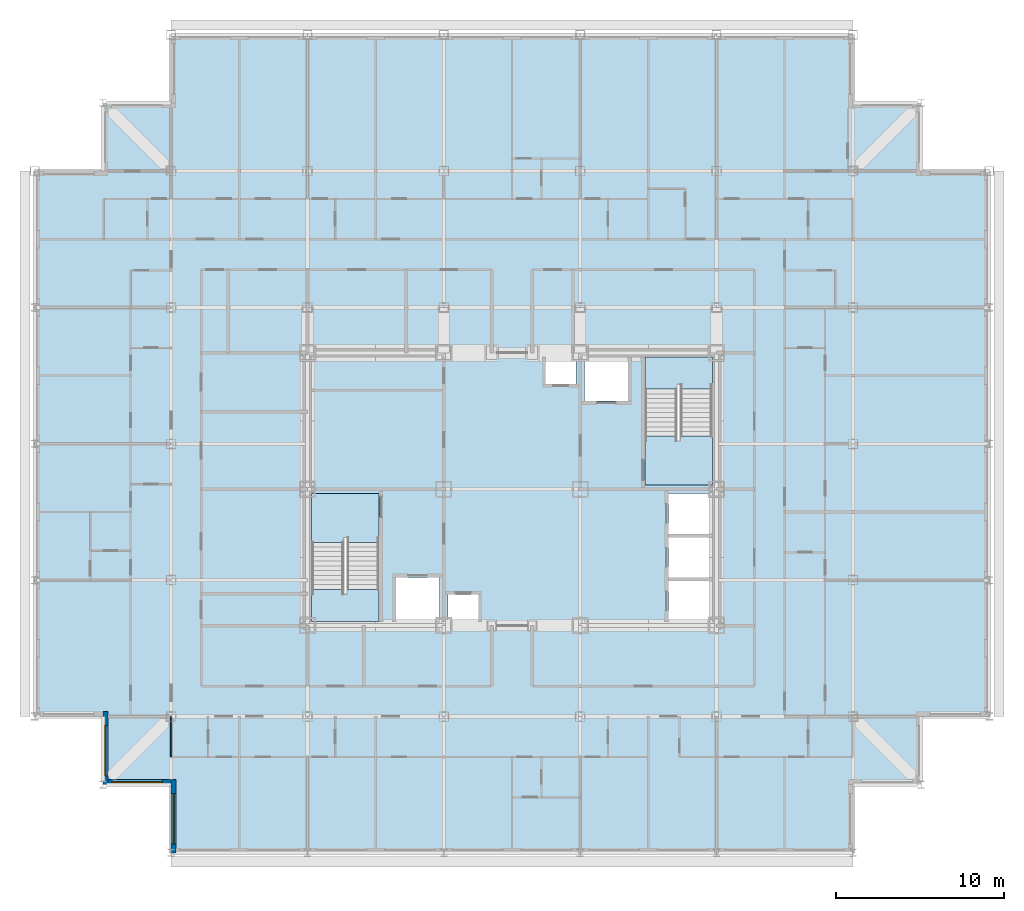
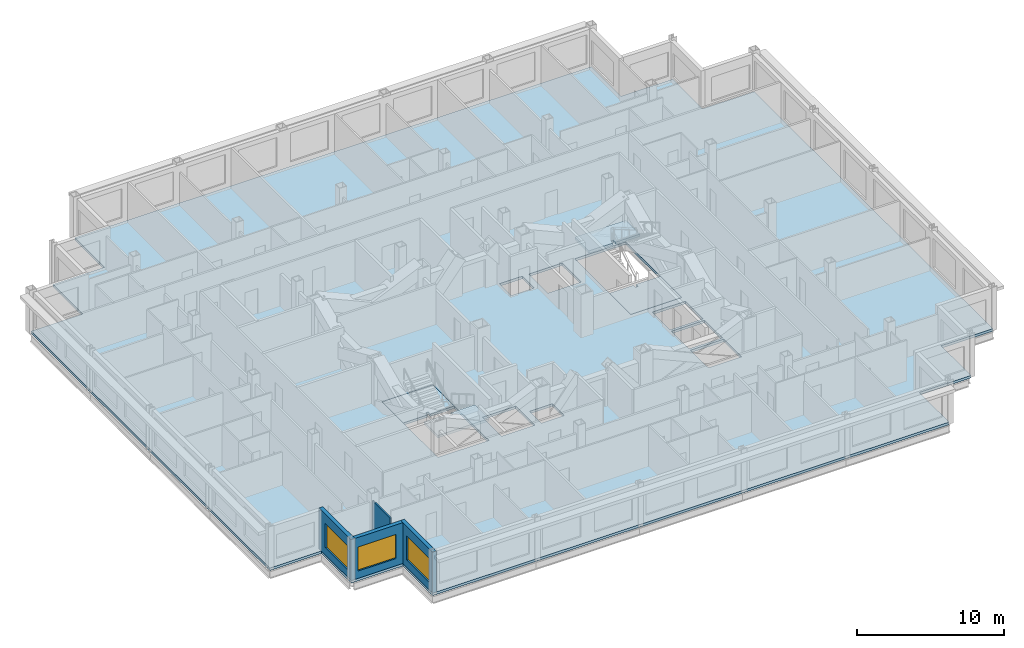
# One storey, part 3 of 12: 5 slabs, 4 walls, 3 windows, 3 openings, 2 elements without a shape of their own.
"""IFC4 building model written with IfcOpenShell, lengths in metres."""

from ifc_helpers import new_model, si_unit, direction, frame, frame_2d, origin, place, context, subcontext, project, spatial, polyline, rectangle, outline, extrude, material, layer, layer_set, type_object, element, fill, aggregate, save


model = new_model("IFC4")

# Units and contexts
model_context = context("Model", 3, precision=1e-05, world=origin(), true_north=direction((0.0, 1.0)))
body_context = subcontext(model_context, "Body", "Model", "MODEL_VIEW")
ifc_project = project(units=[si_unit("LENGTHUNIT", "METRE"), si_unit("AREAUNIT", "SQUARE_METRE"), si_unit("VOLUMEUNIT", "CUBIC_METRE"), si_unit("PLANEANGLEUNIT", "RADIAN"), si_unit("MASSUNIT", "GRAM", prefix="KILO")], contexts=[model_context])

# Site, building, storey
site_placement = place(None, origin())
site = spatial("IfcSite", under=ifc_project, at=site_placement, CompositionType="ELEMENT")
building_placement = place(site_placement, origin())
building = spatial("IfcBuilding", under=site, at=building_placement, Name="Kopane Lantern Tower", CompositionType="ELEMENT")
storey_placement = place(building_placement, frame((0.0, 0.0, 210.0)))
storey = spatial("IfcBuildingStorey", under=building, at=storey_placement, Name="L54", CompositionType="ELEMENT", Elevation=210.0)

# Slab
ifc_material_1 = material(Name="Concrete C40/50", Category="concrete")
ifc_layer_1 = layer(ifc_material_1, 0.2099609375)
ifc_layer_set_1 = layer_set([ifc_layer_1], Name="SLAB 210 COMPOSITE")
slab_type_1 = type_object("IfcSlabType", Name="SLAB 210 COMPOSITE", PredefinedType="FLOOR", material=ifc_layer_set_1)
slab_1_placement = place(storey_placement, frame((0.0, 0.0, -0.2099609375)))
element("IfcSlab", 1, at=slab_1_placement, inside=storey, type_object=slab_type_1, Name="Floor slab L54", PredefinedType="FLOOR", context=body_context, shape_type="SweptSolid", body=[
    extrude(outline(polyline([(8.10009765625, 10.800048828125), (48.60009765625, 10.800048828125), (48.60009765625, 14.85009765625), (52.64990234375, 14.85009765625), (52.64990234375, 18.89990234375), (56.699951171875, 18.89990234375), (56.699951171875, 51.300048828125), (52.64990234375, 51.300048828125), (52.64990234375, 55.35009765625), (48.60009765625, 55.35009765625), (48.60009765625, 59.39990234375), (8.10009765625, 59.39990234375), (8.10009765625, 55.35009765625), (4.050048828125, 55.35009765625), (4.050048828125, 51.300048828125), (0.0, 51.300048828125), (0.0, 18.89990234375), (4.050048828125, 18.89990234375), (4.050048828125, 14.85009765625), (8.10009765625, 14.85009765625), (8.10009765625, 10.800048828125)]), holes=[polyline([(16.449951171875, 24.550048828125), (20.449951171875, 24.550048828125), (20.449951171875, 32.14990234375), (16.449951171875, 32.14990234375), (16.449951171875, 24.550048828125)]), polyline([(36.25, 32.64990234375), (40.25, 32.64990234375), (40.25, 40.25), (36.25, 40.25), (36.25, 32.64990234375)]), polyline([(37.64990234375, 24.550048828125), (40.25, 24.550048828125), (40.25, 26.949951171875), (37.64990234375, 26.949951171875), (37.64990234375, 24.550048828125)]), polyline([(37.64990234375, 27.14990234375), (40.25, 27.14990234375), (40.25, 29.550048828125), (37.64990234375, 29.550048828125), (37.64990234375, 27.14990234375)]), polyline([(37.64990234375, 29.75), (40.25, 29.75), (40.25, 32.14990234375), (37.64990234375, 32.14990234375), (37.64990234375, 29.75)]), polyline([(21.449951171875, 24.550048828125), (24.050048828125, 24.550048828125), (24.050048828125, 27.14990234375), (21.449951171875, 27.14990234375), (21.449951171875, 24.550048828125)]), polyline([(32.64990234375, 37.64990234375), (35.25, 37.64990234375), (35.25, 40.25), (32.64990234375, 40.25), (32.64990234375, 37.64990234375)]), polyline([(24.550048828125, 24.550048828125), (26.35009765625, 24.550048828125), (26.35009765625, 26.14990234375), (24.550048828125, 26.14990234375), (24.550048828125, 24.550048828125)]), polyline([(30.35009765625, 38.64990234375), (32.14990234375, 38.64990234375), (32.14990234375, 40.25), (30.35009765625, 40.25), (30.35009765625, 38.64990234375)])]), origin(), (0.0, 0.0, 1.0), 0.2099609375),
])

# Stair, slabs
ifc_material_2 = material(Name="Steel S355JR", Category="steel")
stair_type = type_object("IfcStairType", Name="EXIT STAIR 1900 HALF TURN", PredefinedType="HALF_TURN_STAIR", material=ifc_material_2)
stair_1_placement = place(storey_placement, origin())
stair_1 = element("IfcStair", 2, at=stair_1_placement, inside=storey, type_object=stair_type, Name="Exit stair ST1 L54", PredefinedType="HALF_TURN_STAIR")
ifc_material_3 = material(Name="Concrete C40/50", Category="concrete")
ifc_layer_2 = layer(ifc_material_3, 0.199951171875)
ifc_layer_set_2 = layer_set([ifc_layer_2], Name="STAIR LANDING 200")
slab_type_2 = type_object("IfcSlabType", Name="STAIR LANDING 200", PredefinedType="LANDING", material=ifc_layer_set_2)
slab_2_placement = place(storey_placement, frame((0.0, 0.0, -0.199951171875)))
slab_2 = element("IfcSlab", 3, at=slab_2_placement, type_object=slab_type_2, Name="ST1 landing 1", PredefinedType="LANDING", context=body_context, shape_type="SweptSolid", body=[
    extrude(outline(polyline([(18.35009765625, 29.530029296875), (18.550048828125, 29.530029296875), (18.550048828125, 29.25), (20.449951171875, 29.25), (20.449951171875, 32.14990234375), (16.449951171875, 32.14990234375), (16.449951171875, 29.25), (18.35009765625, 29.25), (18.35009765625, 29.530029296875)])), origin(), (0.0, 0.0, 1.0), 0.199951171875),
])
slab_3_placement = place(storey_placement, frame((0.0, 0.0, 1.60009765625)))
slab_3 = element("IfcSlab", 4, at=slab_3_placement, type_object=slab_type_2, Name="ST1 landing 2", PredefinedType="LANDING", context=body_context, shape_type="SweptSolid", body=[
    extrude(outline(polyline([(20.449951171875, 26.449951171875), (18.550048828125, 26.449951171875), (18.550048828125, 26.169921875), (18.35009765625, 26.169921875), (18.35009765625, 26.449951171875), (16.449951171875, 26.449951171875), (16.449951171875, 24.550048828125), (20.449951171875, 24.550048828125), (20.449951171875, 26.449951171875)])), origin(), (0.0, 0.0, 1.0), 0.199951171875),
])
aggregate(stair_1, [slab_2, slab_3])

stair_2_placement = place(storey_placement, origin())
stair_2 = element("IfcStair", 5, at=stair_2_placement, inside=storey, type_object=stair_type, Name="Exit stair ST2 L54", PredefinedType="HALF_TURN_STAIR")
slab_4_placement = place(storey_placement, frame((0.0, 0.0, -0.199951171875)))
slab_4 = element("IfcSlab", 6, at=slab_4_placement, type_object=slab_type_2, Name="ST2 landing 1", PredefinedType="LANDING", context=body_context, shape_type="SweptSolid", body=[
    extrude(outline(polyline([(40.25, 35.550048828125), (38.35009765625, 35.550048828125), (38.35009765625, 35.27001953125), (38.14990234375, 35.27001953125), (38.14990234375, 35.550048828125), (36.25, 35.550048828125), (36.25, 32.64990234375), (40.25, 32.64990234375), (40.25, 35.550048828125)])), origin(), (0.0, 0.0, 1.0), 0.199951171875),
])
slab_5_placement = place(storey_placement, frame((0.0, 0.0, 1.60009765625)))
slab_5 = element("IfcSlab", 7, at=slab_5_placement, type_object=slab_type_2, Name="ST2 landing 2", PredefinedType="LANDING", context=body_context, shape_type="SweptSolid", body=[
    extrude(outline(polyline([(38.14990234375, 38.6298828125), (38.35009765625, 38.6298828125), (38.35009765625, 38.35009765625), (40.25, 38.35009765625), (40.25, 40.25), (36.25, 40.25), (36.25, 38.35009765625), (38.14990234375, 38.35009765625), (38.14990234375, 38.6298828125)])), origin(), (0.0, 0.0, 1.0), 0.199951171875),
])
aggregate(stair_2, [slab_4, slab_5])

# Wall
ifc_material_4 = material(Name="Moisture-resistant board on steel studs", Category="steel")
ifc_layer_3 = layer(ifc_material_4, 0.10009765625)
ifc_layer_set_3 = layer_set([ifc_layer_3], Name="BATHROOM WALL 100")
wall_type_1 = type_object("IfcWallType", Name="BATHROOM WALL 100", PredefinedType="PARTITIONING", material=ifc_layer_set_3)
wall_1_placement = place(storey_placement, frame((8.10009765625, 18.89990234375, 0.0), z_axis=(0.0, 0.0, 1.0), x_axis=(0.0, -1.0, 0.0)))
element("IfcWall", 8, at=wall_1_placement, inside=storey, type_object=wall_type_1, Name="Bathroom Wall 100 L54", PredefinedType="PARTITIONING", context=body_context, shape_type="SweptSolid", body=[
    extrude(rectangle(XDim=2.39990234375, YDim=0.10009765625, at=frame_2d((1.199951171875, 0.0))), origin(), (0.0, 0.0, 1.0), 2.77783203125),
])

# Wall, opening, window
ifc_material_5 = material(Name="Terracotta rainscreen on light steel framing", Category="masonry")
ifc_layer_4 = layer(ifc_material_5, 0.300048828125)
ifc_layer_set_4 = layer_set([ifc_layer_4], Name="EXTERNAL WALL EW1 300 TERRACOTTA")
wall_type_2 = type_object("IfcWallType", Name="EXTERNAL WALL EW1 300 TERRACOTTA", PredefinedType="SOLIDWALL", material=ifc_layer_set_4)
wall_2_placement = place(storey_placement, frame((4.199951171875, 19.199951171875, 0.0), z_axis=(0.0, 0.0, 1.0), x_axis=(0.0, -1.0, 0.0)))
wall_2 = element("IfcWall", 9, at=wall_2_placement, inside=storey, type_object=wall_type_2, Name="External wall W L54", PredefinedType="SOLIDWALL", context=body_context, shape_type="SweptSolid", body=[
    extrude(rectangle(XDim=4.349853515625, YDim=0.300048828125, at=frame_2d((2.1748046875, 0.0))), origin(), (0.0, 0.0, 1.0), 3.389892578125),
])
opening_1_placement = place(wall_2_placement, frame((0.824951171875, 0.0, 0.60009765625)))
opening_1 = element("IfcOpeningElement", 10, at=opening_1_placement, cuts=wall_2, Name="Opening WR300200", PredefinedType="OPENING", context=body_context, shape_type="SweptSolid", body=[
    extrude(rectangle(XDim=3.0, YDim=2.0, at=frame_2d((1.5, 1.0))), frame((0.0, 0.159912109375, 0.0), z_axis=(0.0, -1.0, 0.0), x_axis=(1.0, 0.0, 0.0)), (0.0, 0.0, 1.0), 0.320068359375),
])
ifc_material_6 = material(Name="Aluminium and clear glass", Category="aluminium")
window_type = type_object("IfcWindowType", Name="RIBBON WINDOW WR300200 3000x2000", PartitioningType="SINGLE_PANEL", PredefinedType="WINDOW", material=ifc_material_6)
window_1_placement = place(opening_1_placement, origin())
window_1 = element("IfcWindow", 11, at=window_1_placement, inside=storey, type_object=window_type, Name="Window W L54", OverallHeight=2.0, OverallWidth=3.0, PartitioningType="SINGLE_PANEL", PredefinedType="WINDOW", context=body_context, shape_type="SweptSolid", body=[
    extrude(rectangle(XDim=3.0, YDim=2.0, at=frame_2d((1.5, 1.0))), frame((0.0, 0.030029296875, 0.0), z_axis=(0.0, -1.0, 0.0), x_axis=(1.0, 0.0, 0.0)), (0.0, 0.0, 1.0), 0.06005859375),
])
fill(opening_1, window_1)

wall_3_placement = place(storey_placement, frame((4.35009765625, 15.0, 0.0), z_axis=(0.0, 0.0, 1.0), x_axis=(1.0, 0.0, 0.0)))
wall_3 = element("IfcWall", 12, at=wall_3_placement, inside=storey, type_object=wall_type_2, Name="External wall S L54", PredefinedType="SOLIDWALL", context=body_context, shape_type="SweptSolid", body=[
    extrude(rectangle(XDim=3.75, YDim=0.300048828125, at=frame_2d((1.875, 0.0))), origin(), (0.0, 0.0, 1.0), 3.389892578125),
])
opening_2_placement = place(wall_3_placement, frame((0.22509765625, 0.0, 0.60009765625)))
opening_2 = element("IfcOpeningElement", 13, at=opening_2_placement, cuts=wall_3, Name="Opening WR300200", PredefinedType="OPENING", context=body_context, shape_type="SweptSolid", body=[
    extrude(rectangle(XDim=3.0, YDim=2.0, at=frame_2d((1.5, 1.0))), frame((0.0, 0.159912109375, 0.0), z_axis=(0.0, -1.0, 0.0), x_axis=(1.0, 0.0, 0.0)), (0.0, 0.0, 1.0), 0.320068359375),
])
window_2_placement = place(opening_2_placement, origin())
window_2 = element("IfcWindow", 14, at=window_2_placement, inside=storey, type_object=window_type, Name="Window S L54", OverallHeight=2.0, OverallWidth=3.0, PartitioningType="SINGLE_PANEL", PredefinedType="WINDOW", context=body_context, shape_type="SweptSolid", body=[
    extrude(rectangle(XDim=3.0, YDim=2.0, at=frame_2d((1.5, 1.0))), frame((0.0, 0.030029296875, 0.0), z_axis=(0.0, -1.0, 0.0), x_axis=(1.0, 0.0, 0.0)), (0.0, 0.0, 1.0), 0.06005859375),
])
fill(opening_2, window_2)

wall_4_placement = place(storey_placement, frame((8.25, 15.14990234375, 0.0), z_axis=(0.0, 0.0, 1.0), x_axis=(0.0, -1.0, 0.0)))
wall_4 = element("IfcWall", 15, at=wall_4_placement, inside=storey, type_object=wall_type_2, Name="External wall W L54", PredefinedType="SOLIDWALL", context=body_context, shape_type="SweptSolid", body=[
    extrude(rectangle(XDim=4.349853515625, YDim=0.300048828125, at=frame_2d((2.1748046875, 0.0))), origin(), (0.0, 0.0, 1.0), 3.389892578125),
])
opening_3_placement = place(wall_4_placement, frame((0.824951171875, 0.0, 0.60009765625)))
opening_3 = element("IfcOpeningElement", 16, at=opening_3_placement, cuts=wall_4, Name="Opening WR300200", PredefinedType="OPENING", context=body_context, shape_type="SweptSolid", body=[
    extrude(rectangle(XDim=3.0, YDim=2.0, at=frame_2d((1.5, 1.0))), frame((0.0, 0.159912109375, 0.0), z_axis=(0.0, -1.0, 0.0), x_axis=(1.0, 0.0, 0.0)), (0.0, 0.0, 1.0), 0.320068359375),
])
window_3_placement = place(opening_3_placement, origin())
window_3 = element("IfcWindow", 17, at=window_3_placement, inside=storey, type_object=window_type, Name="Window W L54", OverallHeight=2.0, OverallWidth=3.0, PartitioningType="SINGLE_PANEL", PredefinedType="WINDOW", context=body_context, shape_type="SweptSolid", body=[
    extrude(rectangle(XDim=3.0, YDim=2.0, at=frame_2d((1.5, 1.0))), frame((0.0, 0.030029296875, 0.0), z_axis=(0.0, -1.0, 0.0), x_axis=(1.0, 0.0, 0.0)), (0.0, 0.0, 1.0), 0.06005859375),
])
fill(opening_3, window_3)

save(model, "model.ifc")
